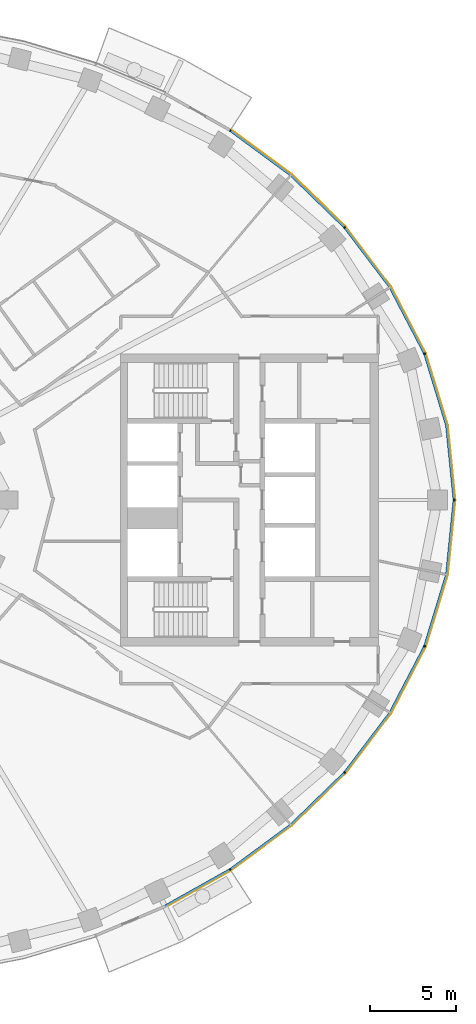
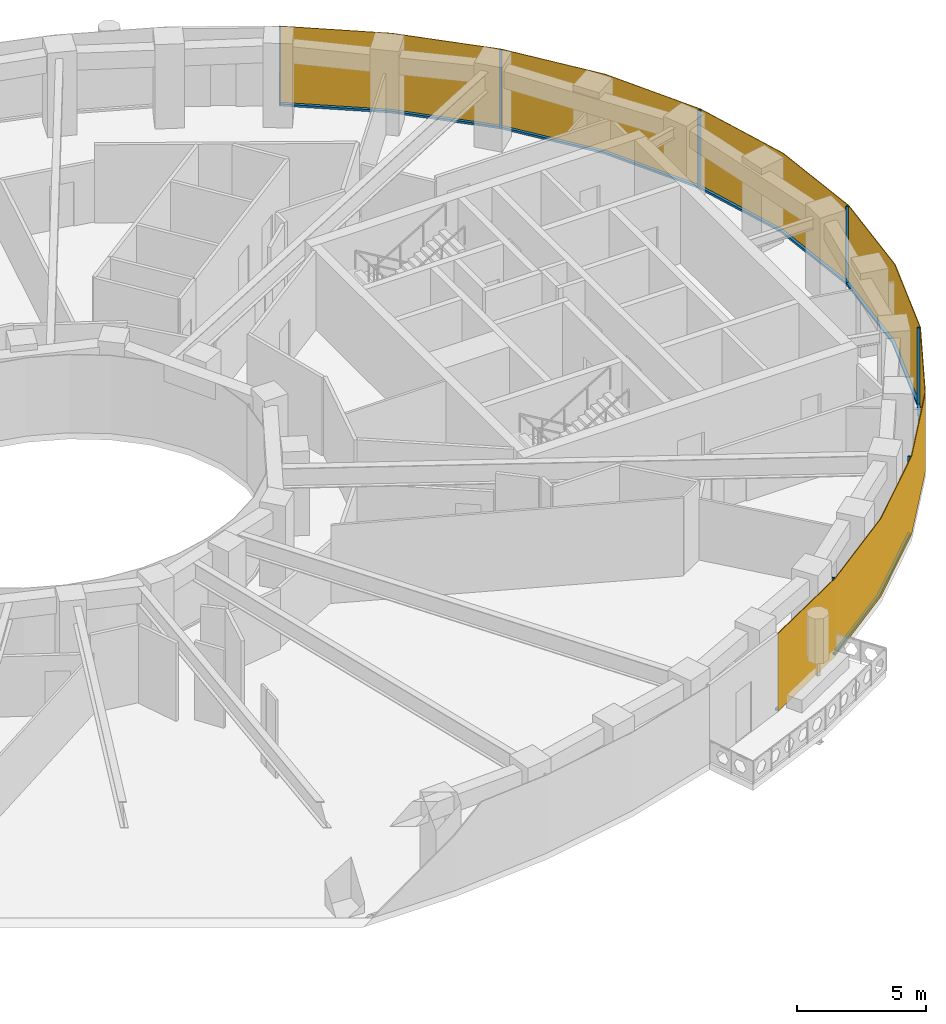
# One storey, part 11 of 15: 14 members, 1 curtain wall.
"""IFC4 building model written with IfcOpenShell, lengths in metres."""

from ifc_helpers import new_model, si_unit, direction, frame, origin, origin_2d, place, context, subcontext, project, spatial, polyline, rectangle, outline, extrude, material, layer, layer_set, material_profile, profile_set, type_object, element, aggregate, save


model = new_model("IFC4")

# Units and contexts
model_context = context("Model", 3, precision=1e-05, world=origin(), true_north=direction((0.0, 1.0)))
body_context = subcontext(model_context, "Body", "Model", "MODEL_VIEW")
ifc_project = project(units=[si_unit("LENGTHUNIT", "METRE"), si_unit("AREAUNIT", "SQUARE_METRE"), si_unit("VOLUMEUNIT", "CUBIC_METRE"), si_unit("PLANEANGLEUNIT", "RADIAN"), si_unit("MASSUNIT", "GRAM", prefix="KILO")], contexts=[model_context])

# Member
ifc_material_1 = material(Name="Aluminium 6063-T6 black anodised", Category="aluminium")
ifc_material_profile = material_profile(ifc_material_1, rectangle(XDim=0.1201171875, YDim=0.06005859375, at=origin_2d()), Name="120x60")
ifc_profile_set = profile_set([ifc_material_profile], Name="Aluminium 6063-T6 black anodised")
member_type_1 = type_object("IfcMemberType", Name="ENV-MULLION-A-120", PredefinedType="MULLION", material=ifc_profile_set)
site_placement = place(None, origin())
building_placement = place(site_placement, origin())
storey_placement = place(building_placement, frame((0.0, 0.0, 194.0)))
member_1_placement = place(storey_placement, frame((22.882568359375, -21.506591796875, 0.0), z_axis=(0.0, 0.0, 1.0), x_axis=(-0.542279153225, 0.840198381323, 0.0)))
member_1 = element("IfcMember", 1, at=member_1_placement, type_object=member_type_1, Name="Mullion A radial 41", PredefinedType="MULLION", context=body_context, shape_type="SweptSolid", body=[
    extrude(rectangle(XDim=0.1201171875, YDim=0.06005859375, at=origin_2d()), origin(), (0.0, 0.0, 1.0), 3.699951171875),
])

member_2_placement = place(storey_placement, frame((29.53857421875, -15.8671875, 0.0), z_axis=(0.0, 0.0, 1.0), x_axis=(-0.749047221705, 0.662516610853, 0.0)))
member_2 = element("IfcMember", 2, at=member_2_placement, type_object=member_type_1, Name="Mullion A radial 43", PredefinedType="MULLION", context=body_context, shape_type="SweptSolid", body=[
    extrude(rectangle(XDim=0.1201171875, YDim=0.06005859375, at=origin_2d()), origin(), (0.0, 0.0, 1.0), 3.699951171875),
])

member_3_placement = place(storey_placement, frame((34.19580078125, -8.513916015625, 0.0), z_axis=(0.0, 0.0, 1.0), x_axis=(-0.92546738067, 0.378827305398, 0.0)))
member_3 = element("IfcMember", 3, at=member_3_placement, type_object=member_type_1, Name="Mullion A radial 45", PredefinedType="MULLION", context=body_context, shape_type="SweptSolid", body=[
    extrude(rectangle(XDim=0.1201171875, YDim=0.06005859375, at=origin_2d()), origin(), (0.0, 0.0, 1.0), 3.699951171875),
])

member_4_placement = place(storey_placement, frame((35.907958984375, 0.0, 0.0), z_axis=(0.0, 0.0, 1.0), x_axis=(-1.0, 0.0, 0.0)))
member_4 = element("IfcMember", 4, at=member_4_placement, type_object=member_type_1, Name="Mullion A radial 01", PredefinedType="MULLION", context=body_context, shape_type="SweptSolid", body=[
    extrude(rectangle(XDim=0.1201171875, YDim=0.06005859375, at=origin_2d()), origin(), (0.0, 0.0, 1.0), 3.699951171875),
])

member_5_placement = place(storey_placement, frame((34.19580078125, 8.513916015625, 0.0), z_axis=(0.0, 0.0, 1.0), x_axis=(-0.92546738067, -0.378827305398, 0.0)))
member_5 = element("IfcMember", 5, at=member_5_placement, type_object=member_type_1, Name="Mullion A radial 03", PredefinedType="MULLION", context=body_context, shape_type="SweptSolid", body=[
    extrude(rectangle(XDim=0.1201171875, YDim=0.06005859375, at=origin_2d()), origin(), (0.0, 0.0, 1.0), 3.699951171875),
])

member_6_placement = place(storey_placement, frame((29.53857421875, 15.8671875, 0.0), z_axis=(0.0, 0.0, 1.0), x_axis=(-0.749047221705, -0.662516610853, 0.0)))
member_6 = element("IfcMember", 6, at=member_6_placement, type_object=member_type_1, Name="Mullion A radial 05", PredefinedType="MULLION", context=body_context, shape_type="SweptSolid", body=[
    extrude(rectangle(XDim=0.1201171875, YDim=0.06005859375, at=origin_2d()), origin(), (0.0, 0.0, 1.0), 3.699951171875),
])

member_7_placement = place(storey_placement, frame((22.882568359375, 21.506591796875, 0.0), z_axis=(0.0, 0.0, 1.0), x_axis=(-0.542279153225, -0.840198381323, 0.0)))
member_7 = element("IfcMember", 7, at=member_7_placement, type_object=member_type_1, Name="Mullion A radial 07", PredefinedType="MULLION", context=body_context, shape_type="SweptSolid", body=[
    extrude(rectangle(XDim=0.1201171875, YDim=0.06005859375, at=origin_2d()), origin(), (0.0, 0.0, 1.0), 3.699951171875),
])

ifc_material_2 = material(Name="Aluminium 6063-T6 black anodised", Category="aluminium")
member_type_2 = type_object("IfcMemberType", Name="ENV-TRANSOM-A", PredefinedType="USERDEFINED", material=ifc_material_2)
member_8_placement = place(storey_placement, origin())
member_8 = element("IfcMember", 8, at=member_8_placement, type_object=member_type_2, Name="Transom A radial 40-41", ObjectType="TRANSOM", PredefinedType="USERDEFINED", context=body_context, shape_type="SweptSolid", body=[
    extrude(outline(polyline([(19.111572265625, -23.691650390625), (22.890625, -21.570556640625), (22.825439453125, -21.469482421875), (19.058837890625, -23.58349609375), (19.111572265625, -23.691650390625)])), origin(), (0.0, 0.0, 1.0), 0.10009765625),
])

member_9_placement = place(storey_placement, origin())
member_9 = element("IfcMember", 9, at=member_9_placement, type_object=member_type_2, Name="Transom A radial 41-43", ObjectType="TRANSOM", PredefinedType="USERDEFINED", context=body_context, shape_type="SweptSolid", body=[
    extrude(outline(polyline([(22.937744140625, -21.540283203125), (26.4423828125, -18.958740234375), (29.5634765625, -15.926513671875), (29.473388671875, -15.8466796875), (26.364501953125, -18.866943359375), (22.87255859375, -21.439208984375), (22.937744140625, -21.540283203125)])), origin(), (0.0, 0.0, 1.0), 0.10009765625),
])

member_10_placement = place(storey_placement, origin())
member_10 = element("IfcMember", 10, at=member_10_placement, type_object=member_type_2, Name="Transom A radial 43-45", ObjectType="TRANSOM", PredefinedType="USERDEFINED", context=body_context, shape_type="SweptSolid", body=[
    extrude(outline(polyline([(29.6005859375, -15.884521484375), (32.22802734375, -12.41748046875), (34.23828125, -8.5615234375), (34.126708984375, -8.515869140625), (32.126220703125, -12.35302734375), (29.51025390625, -15.8046875), (29.6005859375, -15.884521484375)])), origin(), (0.0, 0.0, 1.0), 0.10009765625),
])

member_11_placement = place(storey_placement, origin())
member_11 = element("IfcMember", 11, at=member_11_placement, type_object=member_type_2, Name="Transom A radial 45-01", ObjectType="TRANSOM", PredefinedType="USERDEFINED", context=body_context, shape_type="SweptSolid", body=[
    extrude(outline(polyline([(34.259521484375, -8.509765625), (35.529541015625, -4.352294921875), (35.965087890625, -0.02783203125), (35.844482421875, -0.02783203125), (35.411376953125, -4.32861328125), (34.14794921875, -8.464111328125), (34.259521484375, -8.509765625)])), origin(), (0.0, 0.0, 1.0), 0.10009765625),
])

member_12_placement = place(storey_placement, origin())
member_12 = element("IfcMember", 12, at=member_12_placement, type_object=member_type_2, Name="Transom A radial 01-03", ObjectType="TRANSOM", PredefinedType="USERDEFINED", context=body_context, shape_type="SweptSolid", body=[
    extrude(outline(polyline([(35.965087890625, 0.02783203125), (35.529541015625, 4.352294921875), (34.259521484375, 8.509765625), (34.14794921875, 8.464111328125), (35.411376953125, 4.32861328125), (35.844482421875, 0.02783203125), (35.965087890625, 0.02783203125)])), origin(), (0.0, 0.0, 1.0), 0.10009765625),
])

member_13_placement = place(storey_placement, origin())
member_13 = element("IfcMember", 13, at=member_13_placement, type_object=member_type_2, Name="Transom A radial 03-05", ObjectType="TRANSOM", PredefinedType="USERDEFINED", context=body_context, shape_type="SweptSolid", body=[
    extrude(outline(polyline([(34.23828125, 8.5615234375), (32.22802734375, 12.41748046875), (29.6005859375, 15.884521484375), (29.51025390625, 15.8046875), (32.126220703125, 12.35302734375), (34.126708984375, 8.515869140625), (34.23828125, 8.5615234375)])), origin(), (0.0, 0.0, 1.0), 0.10009765625),
])

member_14_placement = place(storey_placement, origin())
member_14 = element("IfcMember", 14, at=member_14_placement, type_object=member_type_2, Name="Transom A radial 05-07", ObjectType="TRANSOM", PredefinedType="USERDEFINED", context=body_context, shape_type="SweptSolid", body=[
    extrude(outline(polyline([(29.5634765625, 15.926513671875), (26.4423828125, 18.958740234375), (22.937744140625, 21.540283203125), (22.87255859375, 21.439208984375), (26.364501953125, 18.866943359375), (29.473388671875, 15.8466796875), (29.5634765625, 15.926513671875)])), origin(), (0.0, 0.0, 1.0), 0.10009765625),
])

# Site, building, storey
site = spatial("IfcSite", under=ifc_project, at=site_placement, CompositionType="ELEMENT")
building = spatial("IfcBuilding", under=site, at=building_placement, Name="Noorbagh Ring Tower", CompositionType="ELEMENT")
storey = spatial("IfcBuildingStorey", under=building, at=storey_placement, Name="L45", CompositionType="ELEMENT", Elevation=194.0)

# Curtain wall
ifc_material_3 = material(Name="Glass dark tinted laminated", Category="glass")
ifc_layer = layer(ifc_material_3, 0.031982421875)
ifc_layer_set = layer_set([ifc_layer], Name="Glass dark tinted laminated")
curtain_wall_type = type_object("IfcCurtainWallType", Name="ENV-CW-A", PredefinedType="NOTDEFINED", material=ifc_layer_set)
curtain_wall_placement = place(storey_placement, origin())
curtain_wall = element("IfcCurtainWall", 15, at=curtain_wall_placement, inside=storey, type_object=curtain_wall_type, Name="Curtain wall A R40", PredefinedType="NOTDEFINED", context=body_context, shape_type="SweptSolid", body=[
    extrude(outline(polyline([(19.125732421875, -23.720458984375), (22.9326171875, -21.583740234375), (26.463134765625, -18.9833984375), (29.607666015625, -15.927978515625), (32.255126953125, -12.434814453125), (34.281005859375, -8.548828125), (35.561279296875, -4.358642578125), (36.0, 0.0), (35.561279296875, 4.358642578125), (34.281005859375, 8.548828125), (32.255126953125, 12.434814453125), (29.607666015625, 15.927978515625), (26.463134765625, 18.9833984375), (22.948486328125, 21.572021484375), (22.931396484375, 21.544921875), (26.4423828125, 18.958740234375), (29.58349609375, 15.906982421875), (32.22802734375, 12.41748046875), (34.251220703125, 8.53662109375), (35.529541015625, 4.352294921875), (35.9677734375, 0.0), (35.529541015625, -4.352294921875), (34.251220703125, -8.53662109375), (32.22802734375, -12.41748046875), (29.58349609375, -15.906982421875), (26.4423828125, -18.958740234375), (22.9150390625, -21.556884765625), (19.111572265625, -23.691650390625), (19.125732421875, -23.720458984375)])), origin(), (0.0, 0.0, 1.0), 3.699951171875),
])

aggregate(curtain_wall, [member_1, member_2, member_3, member_4, member_5, member_6, member_7, member_8, member_9, member_10, member_11, member_12, member_13, member_14])

save(model, "model.ifc")
